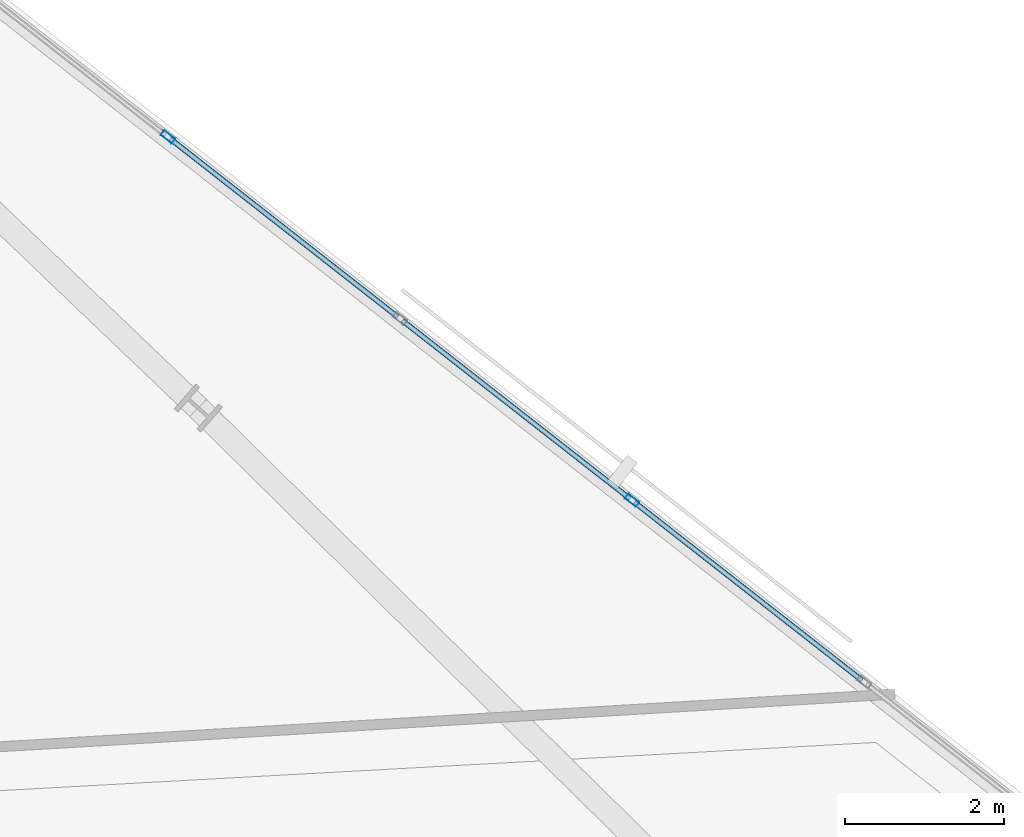
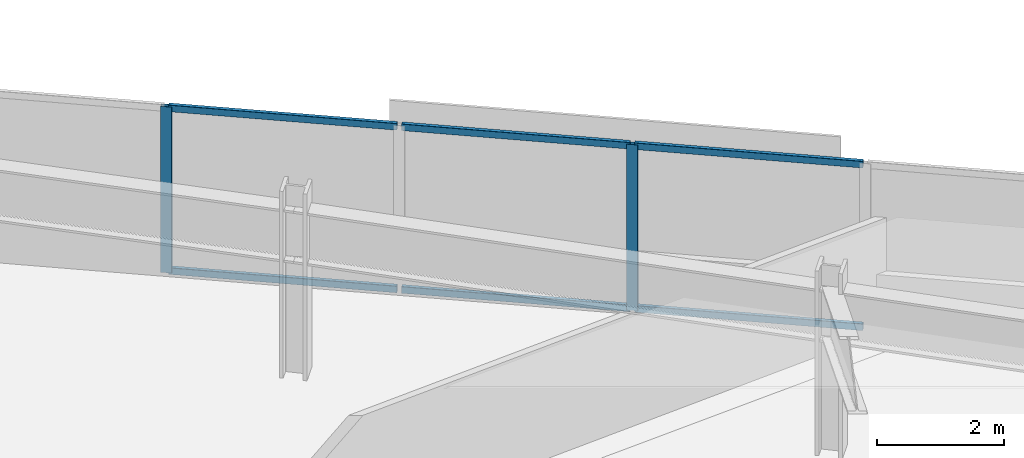
# One storey, part 5 of 15: 8 members, 1 element without a shape of its own.
"""IFC4 building model written with IfcOpenShell, lengths in metres."""

from ifc_helpers import new_model, si_unit, direction, frame, origin, origin_2d, place, context, subcontext, project, spatial, hollow_rectangle, extrude, material, material_profile, profile_set, type_object, element, aggregate, save


model = new_model("IFC4")

# Units and contexts
model_context = context("Model", 3, precision=1e-05, world=origin(), true_north=direction((0.0, 1.0)))
body_context = subcontext(model_context, "Body", "Model", "MODEL_VIEW")
ifc_project = project(units=[si_unit("LENGTHUNIT", "METRE"), si_unit("AREAUNIT", "SQUARE_METRE"), si_unit("VOLUMEUNIT", "CUBIC_METRE"), si_unit("PLANEANGLEUNIT", "RADIAN"), si_unit("MASSUNIT", "GRAM", prefix="KILO")], contexts=[model_context])

# Site, building, storey
site_placement = place(None, origin())
site = spatial("IfcSite", under=ifc_project, at=site_placement, CompositionType="ELEMENT")
building_placement = place(site_placement, origin())
building = spatial("IfcBuilding", under=site, at=building_placement, Name="Narakoshi Arena Tower", CompositionType="ELEMENT")
storey_placement = place(building_placement, frame((0.0, 0.0, 92.10009765625)))
storey = spatial("IfcBuildingStorey", under=building, at=storey_placement, Name="L24", CompositionType="ELEMENT", Elevation=92.10009765625)

# Curtain wall, members
ifc_material = material(Name="Anodised bronze aluminium 6063-T6", Category="aluminium")
curtain_wall_type = type_object("IfcCurtainWallType", Name="CW-HYP-LOW", PredefinedType="NOTDEFINED", material=ifc_material)
curtain_wall_placement = place(storey_placement, origin())
curtain_wall = element("IfcCurtainWall", 1, at=curtain_wall_placement, inside=storey, type_object=curtain_wall_type, Name="L24 Folded Hypotenuse Curtain Wall 1-1", PredefinedType="NOTDEFINED")
ifc_material_profile_1 = material_profile(ifc_material, hollow_rectangle(XDim=0.074951171875, YDim=0.179931640625, WallThickness=0.00390625, OuterFilletRadius=0.0048828125, at=origin_2d()), Name="MUL180x75x4")
ifc_profile_set_1 = profile_set([ifc_material_profile_1], Name="Anodised bronze aluminium 6063-T6")
member_type_1 = type_object("IfcMemberType", Name="MEM-MUL-180", PredefinedType="MULLION", material=ifc_profile_set_1)
member_1_placement = place(storey_placement, frame((106.231689453125, 49.767333984375, 0.0), z_axis=(0.0, 0.0, 1.0), x_axis=(-0.616456832822, -0.787388705321, 0.0)))
member_1 = element("IfcMember", 2, at=member_1_placement, type_object=member_type_1, Name="CW-01 mullion 6", PredefinedType="MULLION", context=body_context, shape_type="SweptSolid", body=[
    extrude(hollow_rectangle(XDim=0.074951171875, YDim=0.179931640625, WallThickness=0.00390625, OuterFilletRadius=0.0048828125, at=origin_2d()), origin(), (0.0, 0.0, 1.0), 3.199951171875),
])
member_2_placement = place(storey_placement, frame((100.379638671875, 54.348876953125, 0.0), z_axis=(0.0, 0.0, 1.0), x_axis=(-0.616456832822, -0.787388705321, 0.0)))
member_2 = element("IfcMember", 3, at=member_2_placement, type_object=member_type_1, Name="CW-01 mullion 8", PredefinedType="MULLION", context=body_context, shape_type="SweptSolid", body=[
    extrude(hollow_rectangle(XDim=0.074951171875, YDim=0.179931640625, WallThickness=0.00390625, OuterFilletRadius=0.0048828125, at=origin_2d()), origin(), (0.0, 0.0, 1.0), 3.199951171875),
])
ifc_material_profile_2 = material_profile(ifc_material, hollow_rectangle(XDim=0.06494140625, YDim=0.1298828125, WallThickness=0.00390625, OuterFilletRadius=0.0048828125, at=origin_2d()), Name="TRN130x65x4")
ifc_profile_set_2 = profile_set([ifc_material_profile_2], Name="Anodised bronze aluminium 6063-T6")
member_type_2 = type_object("IfcMemberType", Name="MEM-TRN-130", PredefinedType="USERDEFINED", material=ifc_profile_set_2)
member_3_placement = place(storey_placement, frame((109.12841796875, 47.49951171875, 0.032470703125), z_axis=(-0.787405952314, 0.616434802927, 0.0), x_axis=(-0.616434802927, -0.787405952314, 0.0)))
member_3 = element("IfcMember", 4, at=member_3_placement, type_object=member_type_2, Name="CW-01 transom 5.1", ObjectType="TRANSOM", PredefinedType="USERDEFINED", context=body_context, shape_type="SweptSolid", body=[
    extrude(hollow_rectangle(XDim=0.06494140625, YDim=0.1298828125, WallThickness=0.00390625, OuterFilletRadius=0.0048828125, at=origin_2d()), origin(), (0.0, 0.0, 1.0), 3.641357421875),
])
member_4_placement = place(storey_placement, frame((109.12841796875, 47.49951171875, 3.16748046875), z_axis=(-0.787405952314, 0.616434802927, 0.0), x_axis=(-0.616434802927, -0.787405952314, 0.0)))
member_4 = element("IfcMember", 5, at=member_4_placement, type_object=member_type_2, Name="CW-01 transom 5.2", ObjectType="TRANSOM", PredefinedType="USERDEFINED", context=body_context, shape_type="SweptSolid", body=[
    extrude(hollow_rectangle(XDim=0.06494140625, YDim=0.1298828125, WallThickness=0.00390625, OuterFilletRadius=0.0048828125, at=origin_2d()), origin(), (0.0, 0.0, 1.0), 3.641357421875),
])
member_5_placement = place(storey_placement, frame((106.2021484375, 49.790283203125, 0.032470703125), z_axis=(-0.787380472788, 0.616467347936, 0.0), x_axis=(-0.616467347936, -0.787380472788, 0.0)))
member_5 = element("IfcMember", 6, at=member_5_placement, type_object=member_type_2, Name="CW-01 transom 6.1", ObjectType="TRANSOM", PredefinedType="USERDEFINED", context=body_context, shape_type="SweptSolid", body=[
    extrude(hollow_rectangle(XDim=0.06494140625, YDim=0.1298828125, WallThickness=0.00390625, OuterFilletRadius=0.0048828125, at=origin_2d()), origin(), (0.0, 0.0, 1.0), 3.64111328125),
])
member_6_placement = place(storey_placement, frame((106.2021484375, 49.790283203125, 3.16748046875), z_axis=(-0.787380472788, 0.616467347936, 0.0), x_axis=(-0.616467347936, -0.787380472788, 0.0)))
member_6 = element("IfcMember", 7, at=member_6_placement, type_object=member_type_2, Name="CW-01 transom 6.2", ObjectType="TRANSOM", PredefinedType="USERDEFINED", context=body_context, shape_type="SweptSolid", body=[
    extrude(hollow_rectangle(XDim=0.06494140625, YDim=0.1298828125, WallThickness=0.00390625, OuterFilletRadius=0.0048828125, at=origin_2d()), origin(), (0.0, 0.0, 1.0), 3.64111328125),
])
member_7_placement = place(storey_placement, frame((103.276123046875, 52.081298828125, 0.032470703125), z_axis=(-0.787380472788, 0.616467347936, 0.0), x_axis=(-0.616467347936, -0.787380472788, 0.0)))
member_7 = element("IfcMember", 8, at=member_7_placement, type_object=member_type_2, Name="CW-01 transom 7.1", ObjectType="TRANSOM", PredefinedType="USERDEFINED", context=body_context, shape_type="SweptSolid", body=[
    extrude(hollow_rectangle(XDim=0.06494140625, YDim=0.1298828125, WallThickness=0.00390625, OuterFilletRadius=0.0048828125, at=origin_2d()), origin(), (0.0, 0.0, 1.0), 3.64111328125),
])
member_8_placement = place(storey_placement, frame((103.276123046875, 52.081298828125, 3.16748046875), z_axis=(-0.787380472788, 0.616467347936, 0.0), x_axis=(-0.616467347936, -0.787380472788, 0.0)))
member_8 = element("IfcMember", 9, at=member_8_placement, type_object=member_type_2, Name="CW-01 transom 7.2", ObjectType="TRANSOM", PredefinedType="USERDEFINED", context=body_context, shape_type="SweptSolid", body=[
    extrude(hollow_rectangle(XDim=0.06494140625, YDim=0.1298828125, WallThickness=0.00390625, OuterFilletRadius=0.0048828125, at=origin_2d()), origin(), (0.0, 0.0, 1.0), 3.64111328125),
])
aggregate(curtain_wall, [member_1, member_2, member_3, member_4, member_5, member_6, member_7, member_8])

save(model, "model.ifc")
